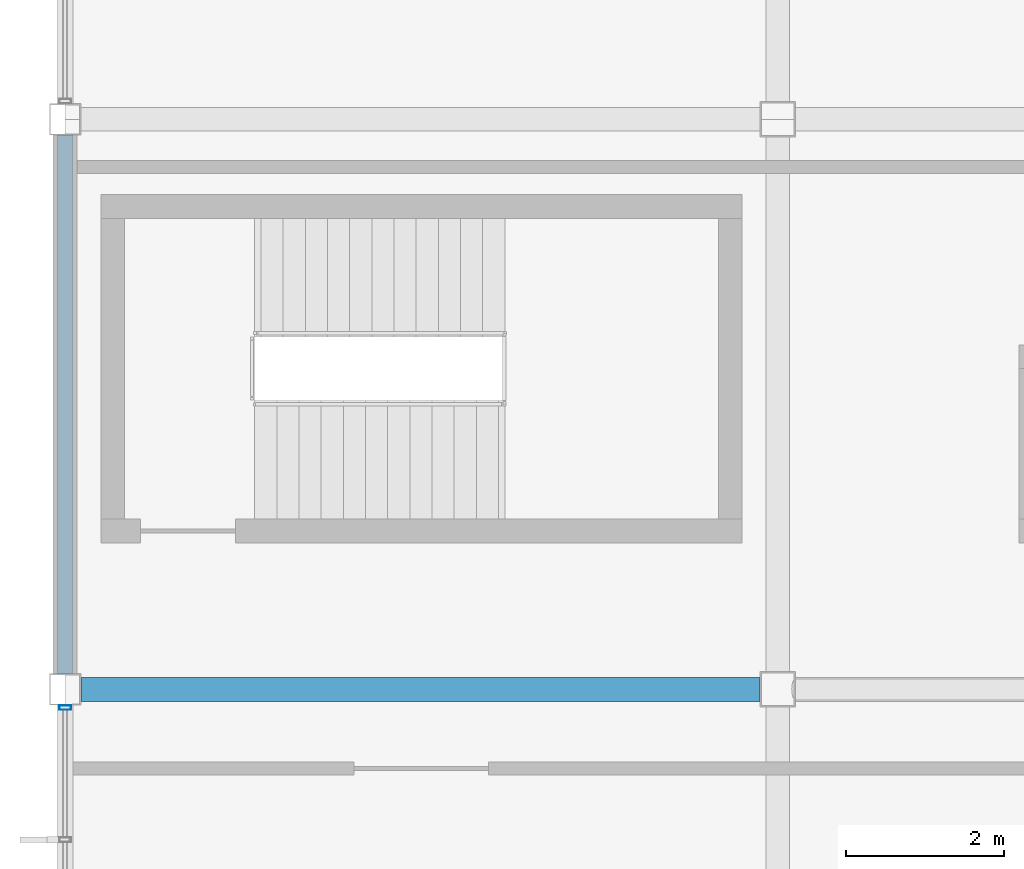
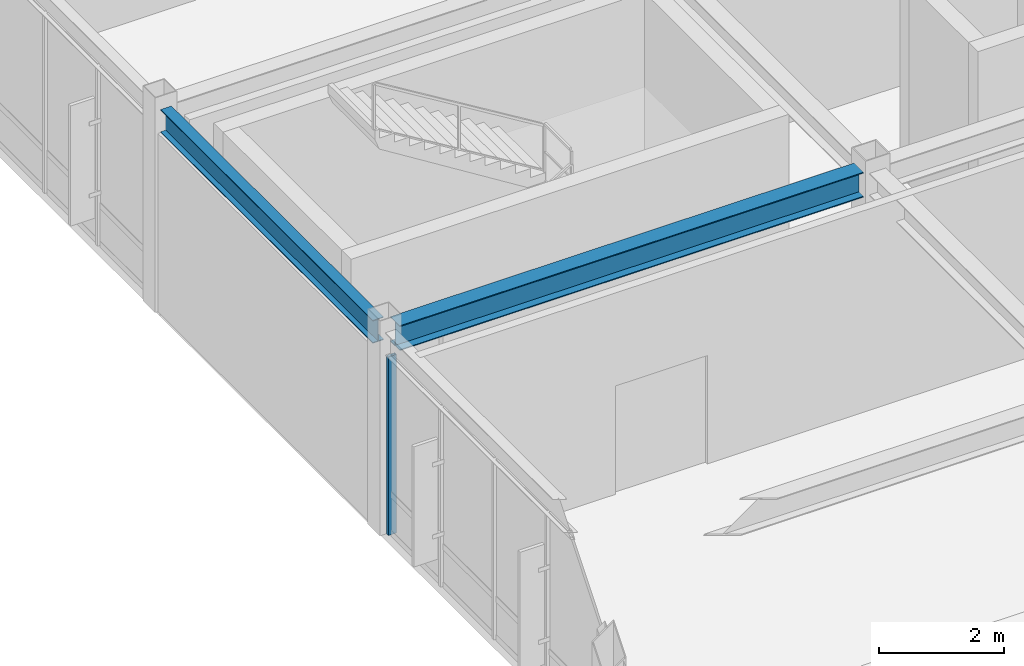
# One storey, part 15 of 106: 2 beams, 1 member, 1 element without a shape of its own.
"""IFC4 building model written with IfcOpenShell, lengths in metres."""

from ifc_helpers import new_model, si_unit, direction, frame, origin, origin_2d, place, context, subcontext, project, spatial, hollow_rectangle, i_section, extrude, material, material_profile, profile_set, type_object, element, aggregate, save


model = new_model("IFC4")

# Units and contexts
model_context = context("Model", 3, precision=1e-05, world=origin(), true_north=direction((0.0, 1.0)))
body_context = subcontext(model_context, "Body", "Model", "MODEL_VIEW")
ifc_project = project(units=[si_unit("LENGTHUNIT", "METRE"), si_unit("AREAUNIT", "SQUARE_METRE"), si_unit("VOLUMEUNIT", "CUBIC_METRE"), si_unit("PLANEANGLEUNIT", "RADIAN"), si_unit("MASSUNIT", "GRAM", prefix="KILO")], contexts=[model_context])

# Site, building, storey
site_placement = place(None, origin())
site = spatial("IfcSite", under=ifc_project, at=site_placement, CompositionType="ELEMENT")
building_placement = place(site_placement, origin())
building = spatial("IfcBuilding", under=site, at=building_placement, Name="Kazanami Central Library", CompositionType="ELEMENT")
storey_placement = place(building_placement, frame((0.0, 0.0, 12.800048828125)))
storey = spatial("IfcBuildingStorey", under=building, at=storey_placement, Name="L04", CompositionType="ELEMENT", Elevation=12.800048828125)

# Beams
ifc_material_1 = material(Name="Steel SN490B (325 MPa)", Category="steel")
ifc_material_profile_1 = material_profile(ifc_material_1, i_section(OverallWidth=0.300048828125, OverallDepth=0.488037109375, WebThickness=0.010986328125, FlangeThickness=0.01806640625, at=origin_2d()), Name="H-488x300x11x18")
ifc_profile_set_1 = profile_set([ifc_material_profile_1], Name="Steel SN490B (325 MPa)")
beam_type_1 = type_object("IfcBeamType", Name="BM-G-X5", PredefinedType="BEAM", material=ifc_profile_set_1)
beam_1_placement = place(storey_placement, frame((0.197998046875, 79.199951171875, 3.696044921875), z_axis=(1.0, 0.0, 0.0), x_axis=(0.0, 1.0, 0.0)))
element("IfcBeam", 1, at=beam_1_placement, inside=storey, type_object=beam_type_1, Name="Girder G-X5 L04 M/1-2", PredefinedType="BEAM", context=body_context, shape_type="SweptSolid", body=[
    extrude(i_section(OverallWidth=0.300048828125, OverallDepth=0.488037109375, WebThickness=0.010986328125, FlangeThickness=0.01806640625, at=origin_2d()), origin(), (0.0, 0.0, 1.0), 8.5791015625),
])
ifc_material_profile_2 = material_profile(ifc_material_1, i_section(OverallWidth=0.199951171875, OverallDepth=0.449951171875, WebThickness=0.009033203125, FlangeThickness=0.013916015625, at=origin_2d()), Name="H-450x200x9x14")
ifc_profile_set_2 = profile_set([ifc_material_profile_2], Name="Steel SN490B (325 MPa)")
beam_type_2 = type_object("IfcBeamType", Name="BM-SP-2", PredefinedType="SPANDREL", material=ifc_profile_set_2)
beam_2_placement = place(storey_placement, frame((0.0, 79.39794921875, 3.71484375), z_axis=(0.0, 1.0, 0.0), x_axis=(-1.0, 0.0, 0.0)))
element("IfcBeam", 2, at=beam_2_placement, inside=storey, type_object=beam_type_2, Name="Girder SP-2 L04 1/M-N", PredefinedType="SPANDREL", context=body_context, shape_type="SweptSolid", body=[
    extrude(i_section(OverallWidth=0.199951171875, OverallDepth=0.449951171875, WebThickness=0.009033203125, FlangeThickness=0.013916015625, at=origin_2d()), origin(), (0.0, 0.0, 1.0), 6.803955078125),
])

# Curtain wall, member
ifc_material_2 = material(Name="Acid-Etched Low-E Laminated Glass", Category="glass")
curtain_wall_type = type_object("IfcCurtainWallType", Name="CW-6800x3490-M180", PredefinedType="USERDEFINED", material=ifc_material_2)
curtain_wall_placement = place(storey_placement, origin())
curtain_wall = element("IfcCurtainWall", 3, at=curtain_wall_placement, inside=storey, type_object=curtain_wall_type, Name="Unitised Curtain Wall CW-43 L04 W-1-10", ObjectType="UNITISED CURTAIN WALL", PredefinedType="USERDEFINED")
ifc_material_3 = material(Name="Anodised Aluminium A6063-T5", Category="aluminium")
ifc_material_profile_3 = material_profile(ifc_material_3, hollow_rectangle(XDim=0.06005859375, YDim=0.14990234375, WallThickness=0.00390625, at=origin_2d()), Name="ALU-MULL-60x150x4")
ifc_profile_set_3 = profile_set([ifc_material_profile_3], Name="Anodised Aluminium A6063-T5")
member_type = type_object("IfcMemberType", Name="MEM-CW-M3", PredefinedType="MULLION", material=ifc_profile_set_3)
member_placement = place(storey_placement, frame((0.0, 78.969970703125, 0.0), z_axis=(0.0, 0.0, 1.0), x_axis=(0.0, 1.0, 0.0)))
member = element("IfcMember", 4, at=member_placement, type_object=member_type, Name="CW-43 mullion 5", PredefinedType="MULLION", context=body_context, shape_type="SweptSolid", body=[
    extrude(hollow_rectangle(XDim=0.06005859375, YDim=0.14990234375, WallThickness=0.00390625, at=origin_2d()), origin(), (0.0, 0.0, 1.0), 3.489990234375),
])
aggregate(curtain_wall, [member])

save(model, "model.ifc")
